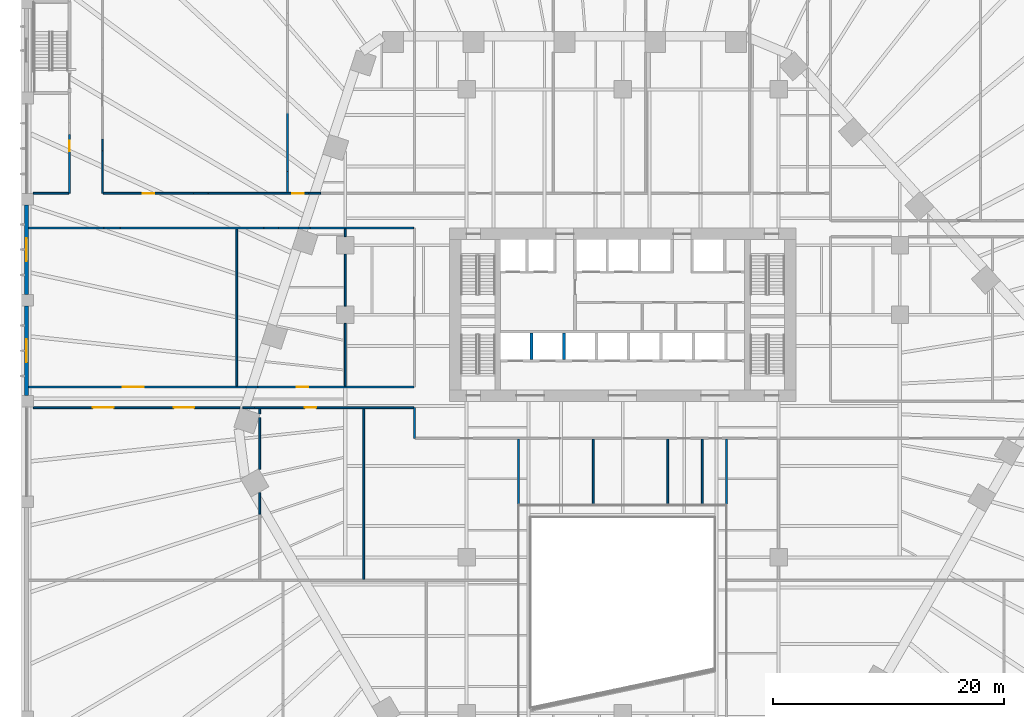
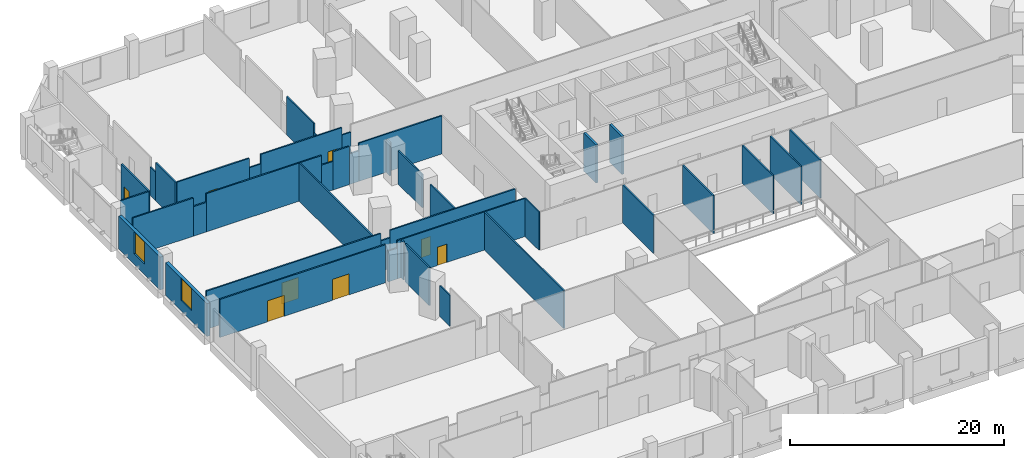
# One storey, part 16 of 33: 41 walls, 8 doors, 2 windows, 10 openings.
"""IFC4 building model written with IfcOpenShell, lengths in metres."""

from ifc_helpers import new_model, si_unit, direction, frame, frame_2d, origin, place, context, subcontext, project, spatial, rectangle, extrude, material, layer, layer_set, type_object, element, fill, save


model = new_model("IFC4")

# Units and contexts
model_context = context("Model", 3, precision=1e-05, world=origin(), true_north=direction((0.0, 1.0)))
body_context = subcontext(model_context, "Body", "Model", "MODEL_VIEW")
ifc_project = project(units=[si_unit("LENGTHUNIT", "METRE"), si_unit("AREAUNIT", "SQUARE_METRE"), si_unit("VOLUMEUNIT", "CUBIC_METRE"), si_unit("PLANEANGLEUNIT", "RADIAN"), si_unit("MASSUNIT", "GRAM", prefix="KILO")], contexts=[model_context])

# Site, building, storey
site_placement = place(None, origin())
site = spatial("IfcSite", under=ifc_project, at=site_placement, CompositionType="ELEMENT")
building_placement = place(site_placement, origin())
building = spatial("IfcBuilding", under=site, at=building_placement, Name="Isthmus Gate Tower", CompositionType="ELEMENT")
storey_placement = place(building_placement, frame((0.0, 0.0, 31.5)))
storey = spatial("IfcBuildingStorey", under=building, at=storey_placement, Name="L05", CompositionType="ELEMENT", Elevation=31.5)

# Wall, opening, door
ifc_material_1 = material(Name="Fire-rated gypsum board on steel studs", Category="steel")
ifc_layer_1 = layer(ifc_material_1, 0.14990234375)
ifc_layer_set_1 = layer_set([ifc_layer_1], Name="Fire-rated partition 150 EI 60")
wall_type_1 = type_object("IfcWallType", Name="Fire-rated partition 150 EI 60", PredefinedType="PARTITIONING", material=ifc_layer_set_1)
wall_1_placement = place(storey_placement, frame((-47.875, 18.0, 0.0), z_axis=(0.0, 0.0, 1.0), x_axis=(0.0, 1.0, 0.0)))
wall_1 = element("IfcWall", 1, at=wall_1_placement, inside=storey, type_object=wall_type_1, Name="Fire-rated partition", PredefinedType="PARTITIONING", context=body_context, shape_type="SweptSolid", body=[
    extrude(rectangle(XDim=5.109375, YDim=0.14990234375, at=frame_2d((2.5546875, 0.0))), origin(), (0.0, 0.0, 1.0), 4.35009765625),
])
opening_1_placement = place(wall_1_placement, frame((3.64990234375, 0.0, 0.0)))
opening_1 = element("IfcOpeningElement", 2, at=opening_1_placement, cuts=wall_1, Name="Opening DP05-02", PredefinedType="OPENING", context=body_context, shape_type="SweptSolid", body=[
    extrude(rectangle(XDim=0.89990234375, YDim=2.10009765625, at=frame_2d((0.449951171875, 1.050048828125))), frame((0.0, 0.0849609375, 0.0), z_axis=(0.0, -1.0, 0.0), x_axis=(1.0, 0.0, 0.0)), (0.0, 0.0, 1.0), 0.169921875),
])
ifc_material_2 = material(Name="Steel fire door with intumescent seals", Category="steel")
door_type_1 = type_object("IfcDoorType", Name="Fire door 900 x 2100", OperationType="SINGLE_SWING_LEFT", PredefinedType="DOOR", material=ifc_material_2)
door_1_placement = place(opening_1_placement, origin())
door_1 = element("IfcDoor", 3, at=door_1_placement, inside=storey, type_object=door_type_1, Name="Door DP05-02", OperationType="SINGLE_SWING_LEFT", OverallHeight=2.10009765625, OverallWidth=0.89990234375, PredefinedType="DOOR", context=body_context, shape_type="SweptSolid", body=[
    extrude(rectangle(XDim=0.89990234375, YDim=2.10009765625, at=frame_2d((0.449951171875, 1.050048828125))), frame((0.0, 0.02490234375, 0.0), z_axis=(0.0, -1.0, 0.0), x_axis=(1.0, 0.0, 0.0)), (0.0, 0.0, 1.0), 0.050048828125),
])
fill(opening_1, door_1)

# Walls
wall_2_placement = place(storey_placement, frame((-45.0, 18.0, 0.0), z_axis=(0.0, 0.0, 1.0), x_axis=(0.0, 1.0, 0.0)))
element("IfcWall", 4, at=wall_2_placement, inside=storey, type_object=wall_type_1, Name="Fire-rated partition", PredefinedType="PARTITIONING", context=body_context, shape_type="SweptSolid", body=[
    extrude(rectangle(XDim=3.69140625, YDim=0.14990234375, at=frame_2d((1.845703125, 0.0))), origin(), (0.0, 0.0, 1.0), 4.35009765625),
])
wall_3_placement = place(storey_placement, frame((-45.0, 21.69140625, 0.0), z_axis=(0.0, 0.0, 1.0), x_axis=(0.0, 1.0, 0.0)))
element("IfcWall", 5, at=wall_3_placement, inside=storey, type_object=wall_type_1, Name="Fire-rated partition", PredefinedType="PARTITIONING", context=body_context, shape_type="SweptSolid", body=[
    extrude(rectangle(XDim=1.0, YDim=0.14990234375, at=frame_2d((0.5, 0.0))), origin(), (0.0, 0.0, 1.0), 3.260986328125),
])

# Wall, opening, window
ifc_material_3 = material(Name="Precast concrete C40/50, limestone-faced", Category="masonry")
ifc_layer_2 = layer(ifc_material_3, 0.35009765625)
ifc_layer_set_2 = layer_set([ifc_layer_2], Name="PODIUM CLADDING WALL 350")
wall_type_2 = type_object("IfcWallType", Name="PODIUM CLADDING WALL 350", PredefinedType="SOLIDWALL", material=ifc_layer_set_2)
wall_4_placement = place(storey_placement, frame((-51.574951171875, 17.0, -0.300048828125), z_axis=(0.0, 0.0, 1.0), x_axis=(0.0, -1.0, 0.0)))
wall_4 = element("IfcWall", 6, at=wall_4_placement, inside=storey, type_object=wall_type_2, Name="PODIUM WALL", PredefinedType="SOLIDWALL", context=body_context, shape_type="SweptSolid", body=[
    extrude(rectangle(XDim=7.75, YDim=0.35009765625, at=frame_2d((3.875, 0.0))), origin(), (0.0, 0.0, 1.0), 3.75),
])
opening_2_placement = place(wall_4_placement, frame((2.875, 0.0, 1.199951171875)))
opening_2 = element("IfcOpeningElement", 7, at=opening_2_placement, cuts=wall_4, Name="Opening W117", PredefinedType="OPENING", context=body_context, shape_type="SweptSolid", body=[
    extrude(rectangle(XDim=2.0, YDim=2.5, at=frame_2d((1.0, 1.25))), frame((0.0, 0.18505859375, 0.0), z_axis=(0.0, -1.0, 0.0), x_axis=(1.0, 0.0, 0.0)), (0.0, 0.0, 1.0), 0.3701171875),
])
ifc_material_4 = material(Name="Aluminium, pale champagne anodised, laminated glass", Category="aluminium")
window_type = type_object("IfcWindowType", Name="PODIUM SLOT WINDOW 2000 X 2500", PartitioningType="SINGLE_PANEL", PredefinedType="WINDOW", material=ifc_material_4)
window_1_placement = place(opening_2_placement, origin())
window_1 = element("IfcWindow", 8, at=window_1_placement, inside=storey, type_object=window_type, Name="SLOT WINDOW", OverallHeight=2.5, OverallWidth=2.0, PartitioningType="SINGLE_PANEL", PredefinedType="WINDOW", context=body_context, shape_type="SweptSolid", body=[
    extrude(rectangle(XDim=2.0, YDim=2.5, at=frame_2d((1.0, 1.25))), frame((0.0, 0.030029296875, 0.0), z_axis=(0.0, -1.0, 0.0), x_axis=(1.0, 0.0, 0.0)), (0.0, 0.0, 1.0), 0.06005859375),
])
fill(opening_2, window_1)

wall_5_placement = place(storey_placement, frame((-51.574951171875, 8.25, -0.300048828125), z_axis=(0.0, 0.0, 1.0), x_axis=(0.0, -1.0, 0.0)))
wall_5 = element("IfcWall", 9, at=wall_5_placement, inside=storey, type_object=wall_type_2, Name="PODIUM WALL", PredefinedType="SOLIDWALL", context=body_context, shape_type="SweptSolid", body=[
    extrude(rectangle(XDim=7.75, YDim=0.35009765625, at=frame_2d((3.875, 0.0))), origin(), (0.0, 0.0, 1.0), 3.75),
])
opening_3_placement = place(wall_5_placement, frame((2.875, 0.0, 1.199951171875)))
opening_3 = element("IfcOpeningElement", 10, at=opening_3_placement, cuts=wall_5, Name="Opening W118", PredefinedType="OPENING", context=body_context, shape_type="SweptSolid", body=[
    extrude(rectangle(XDim=2.0, YDim=2.5, at=frame_2d((1.0, 1.25))), frame((0.0, 0.18505859375, 0.0), z_axis=(0.0, -1.0, 0.0), x_axis=(1.0, 0.0, 0.0)), (0.0, 0.0, 1.0), 0.3701171875),
])
window_2_placement = place(opening_3_placement, origin())
window_2 = element("IfcWindow", 11, at=window_2_placement, inside=storey, type_object=window_type, Name="SLOT WINDOW", OverallHeight=2.5, OverallWidth=2.0, PartitioningType="SINGLE_PANEL", PredefinedType="WINDOW", context=body_context, shape_type="SweptSolid", body=[
    extrude(rectangle(XDim=2.0, YDim=2.5, at=frame_2d((1.0, 1.25))), frame((0.0, 0.030029296875, 0.0), z_axis=(0.0, -1.0, 0.0), x_axis=(1.0, 0.0, 0.0)), (0.0, 0.0, 1.0), 0.06005859375),
])
fill(opening_3, window_2)

# Wall, openings, doors
ifc_material_5 = material(Name="Gypsum board on cold-formed steel studs", Category="steel")
ifc_layer_3 = layer(ifc_material_5, 0.14990234375)
ifc_layer_set_3 = layer_set([ifc_layer_3])
wall_type_3 = type_object("IfcWallType", Name="Partition 150 gypsum board on steel studs", PredefinedType="PARTITIONING", material=ifc_layer_set_3)
wall_6_placement = place(storey_placement, frame((-51.0, -0.549072265625, 0.0), z_axis=(0.0, 0.0, 1.0), x_axis=(1.0, 0.0, 0.0)))
wall_6 = element("IfcWall", 12, at=wall_6_placement, inside=storey, type_object=wall_type_3, Name="Partition", PredefinedType="PARTITIONING", context=body_context, shape_type="SweptSolid", body=[
    extrude(rectangle(XDim=17.8857421875, YDim=0.14990234375, at=frame_2d((8.94287109375, 0.0))), origin(), (0.0, 0.0, 1.0), 4.35009765625),
])
opening_4_placement = place(wall_6_placement, frame((5.14990234375, 0.0, 0.0)))
opening_4 = element("IfcOpeningElement", 13, at=opening_4_placement, cuts=wall_6, Name="Opening DP05-09", PredefinedType="OPENING", context=body_context, shape_type="SweptSolid", body=[
    extrude(rectangle(XDim=1.800048828125, YDim=2.39990234375, at=frame_2d((0.89990234375, 1.199951171875))), frame((0.0, 0.0849609375, 0.0), z_axis=(0.0, -1.0, 0.0), x_axis=(1.0, 0.0, 0.0)), (0.0, 0.0, 1.0), 0.169921875),
])
opening_5_placement = place(wall_6_placement, frame((12.14990234375, 0.0, 0.0)))
opening_5 = element("IfcOpeningElement", 14, at=opening_5_placement, cuts=wall_6, Name="Opening DP05-10", PredefinedType="OPENING", context=body_context, shape_type="SweptSolid", body=[
    extrude(rectangle(XDim=1.800048828125, YDim=2.39990234375, at=frame_2d((0.89990234375, 1.199951171875))), frame((0.0, 0.0849609375, 0.0), z_axis=(0.0, -1.0, 0.0), x_axis=(1.0, 0.0, 0.0)), (0.0, 0.0, 1.0), 0.169921875),
])
ifc_material_6 = material(Name="Hollow metal frame with solid-core timber leaves", Category="wood")
door_type_2 = type_object("IfcDoorType", Name="Double swing door 1800 x 2400", OperationType="DOUBLE_DOOR_SINGLE_SWING", PredefinedType="DOOR", material=ifc_material_6)
door_2_placement = place(opening_4_placement, origin())
door_2 = element("IfcDoor", 15, at=door_2_placement, inside=storey, type_object=door_type_2, Name="Door DP05-09", OperationType="SINGLE_SWING_LEFT", OverallHeight=2.39990234375, OverallWidth=1.800048828125, PredefinedType="DOOR", context=body_context, shape_type="SweptSolid", body=[
    extrude(rectangle(XDim=1.800048828125, YDim=2.39990234375, at=frame_2d((0.89990234375, 1.199951171875))), frame((0.0, 0.02490234375, 0.0), z_axis=(0.0, -1.0, 0.0), x_axis=(1.0, 0.0, 0.0)), (0.0, 0.0, 1.0), 0.050048828125),
])
fill(opening_4, door_2)
door_3_placement = place(opening_5_placement, origin())
door_3 = element("IfcDoor", 16, at=door_3_placement, inside=storey, type_object=door_type_2, Name="Door DP05-10", OperationType="SINGLE_SWING_LEFT", OverallHeight=2.39990234375, OverallWidth=1.800048828125, PredefinedType="DOOR", context=body_context, shape_type="SweptSolid", body=[
    extrude(rectangle(XDim=1.800048828125, YDim=2.39990234375, at=frame_2d((0.89990234375, 1.199951171875))), frame((0.0, 0.02490234375, 0.0), z_axis=(0.0, -1.0, 0.0), x_axis=(1.0, 0.0, 0.0)), (0.0, 0.0, 1.0), 0.050048828125),
])
fill(opening_5, door_3)

# Wall
wall_7_placement = place(storey_placement, frame((-32.85888671875, -0.549072265625, 0.0), z_axis=(0.0, 0.0, 1.0), x_axis=(1.0, 0.0, 0.0)))
element("IfcWall", 17, at=wall_7_placement, inside=storey, type_object=wall_type_3, Name="Partition", PredefinedType="PARTITIONING", context=body_context, shape_type="SweptSolid", body=[
    extrude(rectangle(XDim=1.0, YDim=0.14990234375, at=frame_2d((0.5, 0.0))), origin(), (0.0, 0.0, 1.0), 3.5),
])

# Wall, opening, door
wall_8_placement = place(storey_placement, frame((-31.85888671875, -0.549072265625, 0.0), z_axis=(0.0, 0.0, 1.0), x_axis=(1.0, 0.0, 0.0)))
wall_8 = element("IfcWall", 18, at=wall_8_placement, inside=storey, type_object=wall_type_3, Name="Partition", PredefinedType="PARTITIONING", context=body_context, shape_type="SweptSolid", body=[
    extrude(rectangle(XDim=13.783935546875, YDim=0.14990234375, at=frame_2d((6.89208984375, 0.0))), origin(), (0.0, 0.0, 1.0), 4.35009765625),
])
opening_6_placement = place(wall_8_placement, frame((4.35888671875, 0.0, 0.0)))
opening_6 = element("IfcOpeningElement", 19, at=opening_6_placement, cuts=wall_8, Name="Opening DP05-11", PredefinedType="OPENING", context=body_context, shape_type="SweptSolid", body=[
    extrude(rectangle(XDim=1.0, YDim=2.10009765625, at=frame_2d((0.5, 1.050048828125))), frame((0.0, 0.0849609375, 0.0), z_axis=(0.0, -1.0, 0.0), x_axis=(1.0, 0.0, 0.0)), (0.0, 0.0, 1.0), 0.169921875),
])
ifc_material_7 = material(Name="Hollow metal frame with solid-core timber leaf", Category="wood")
door_type_3 = type_object("IfcDoorType", Name="Single swing door 1000 x 2100", OperationType="SINGLE_SWING_LEFT", PredefinedType="DOOR", material=ifc_material_7)
door_4_placement = place(opening_6_placement, origin())
door_4 = element("IfcDoor", 20, at=door_4_placement, inside=storey, type_object=door_type_3, Name="Door DP05-11", OperationType="SINGLE_SWING_LEFT", OverallHeight=2.10009765625, OverallWidth=1.0, PredefinedType="DOOR", context=body_context, shape_type="SweptSolid", body=[
    extrude(rectangle(XDim=1.0, YDim=2.10009765625, at=frame_2d((0.5, 1.050048828125))), frame((0.0, 0.02490234375, 0.0), z_axis=(0.0, -1.0, 0.0), x_axis=(1.0, 0.0, 0.0)), (0.0, 0.0, 1.0), 0.050048828125),
])
fill(opening_6, door_4)

wall_9_placement = place(storey_placement, frame((-51.39990234375, 1.2509765625, 0.0), z_axis=(0.0, 0.0, 1.0), x_axis=(1.0, 0.0, 0.0)))
wall_9 = element("IfcWall", 21, at=wall_9_placement, inside=storey, type_object=wall_type_3, Name="Partition", PredefinedType="PARTITIONING", context=body_context, shape_type="SweptSolid", body=[
    extrude(rectangle(XDim=18.8154296875, YDim=0.14990234375, at=frame_2d((9.40771484375, 0.0))), origin(), (0.0, 0.0, 1.0), 4.35009765625),
])
opening_7_placement = place(wall_9_placement, frame((8.14990234375, 0.0, 0.0)))
opening_7 = element("IfcOpeningElement", 22, at=opening_7_placement, cuts=wall_9, Name="Opening DP05-37", PredefinedType="OPENING", context=body_context, shape_type="SweptSolid", body=[
    extrude(rectangle(XDim=1.800048828125, YDim=2.39990234375, at=frame_2d((0.89990234375, 1.199951171875))), frame((0.0, 0.0849609375, 0.0), z_axis=(0.0, -1.0, 0.0), x_axis=(1.0, 0.0, 0.0)), (0.0, 0.0, 1.0), 0.169921875),
])
door_5_placement = place(opening_7_placement, origin())
door_5 = element("IfcDoor", 23, at=door_5_placement, inside=storey, type_object=door_type_2, Name="Door DP05-37", OperationType="SINGLE_SWING_LEFT", OverallHeight=2.39990234375, OverallWidth=1.800048828125, PredefinedType="DOOR", context=body_context, shape_type="SweptSolid", body=[
    extrude(rectangle(XDim=1.800048828125, YDim=2.39990234375, at=frame_2d((0.89990234375, 1.199951171875))), frame((0.0, 0.02490234375, 0.0), z_axis=(0.0, -1.0, 0.0), x_axis=(1.0, 0.0, 0.0)), (0.0, 0.0, 1.0), 0.050048828125),
])
fill(opening_7, door_5)

# Wall
wall_10_placement = place(storey_placement, frame((-32.58447265625, 1.2509765625, 0.0), z_axis=(0.0, 0.0, 1.0), x_axis=(1.0, 0.0, 0.0)))
element("IfcWall", 24, at=wall_10_placement, inside=storey, type_object=wall_type_3, Name="Partition", PredefinedType="PARTITIONING", context=body_context, shape_type="SweptSolid", body=[
    extrude(rectangle(XDim=1.0, YDim=0.14990234375, at=frame_2d((0.5, 0.0))), origin(), (0.0, 0.0, 1.0), 3.5),
])

# Wall, opening, door
wall_11_placement = place(storey_placement, frame((-31.58447265625, 1.2509765625, 0.0), z_axis=(0.0, 0.0, 1.0), x_axis=(1.0, 0.0, 0.0)))
wall_11 = element("IfcWall", 25, at=wall_11_placement, inside=storey, type_object=wall_type_3, Name="Partition", PredefinedType="PARTITIONING", context=body_context, shape_type="SweptSolid", body=[
    extrude(rectangle(XDim=13.509521484375, YDim=0.14990234375, at=frame_2d((6.7548828125, 0.0))), origin(), (0.0, 0.0, 1.0), 4.35009765625),
])
opening_8_placement = place(wall_11_placement, frame((3.39990234375, 0.0, 0.0)))
opening_8 = element("IfcOpeningElement", 26, at=opening_8_placement, cuts=wall_11, Name="Opening DP05-38", PredefinedType="OPENING", context=body_context, shape_type="SweptSolid", body=[
    extrude(rectangle(XDim=1.0, YDim=2.10009765625, at=frame_2d((0.5, 1.050048828125))), frame((0.0, 0.0849609375, 0.0), z_axis=(0.0, -1.0, 0.0), x_axis=(1.0, 0.0, 0.0)), (0.0, 0.0, 1.0), 0.169921875),
])
door_6_placement = place(opening_8_placement, origin())
door_6 = element("IfcDoor", 27, at=door_6_placement, inside=storey, type_object=door_type_3, Name="Door DP05-38", OperationType="SINGLE_SWING_LEFT", OverallHeight=2.10009765625, OverallWidth=1.0, PredefinedType="DOOR", context=body_context, shape_type="SweptSolid", body=[
    extrude(rectangle(XDim=1.0, YDim=2.10009765625, at=frame_2d((0.5, 1.050048828125))), frame((0.0, 0.02490234375, 0.0), z_axis=(0.0, -1.0, 0.0), x_axis=(1.0, 0.0, 0.0)), (0.0, 0.0, 1.0), 0.050048828125),
])
fill(opening_8, door_6)

# Walls
wall_12_placement = place(storey_placement, frame((-51.39990234375, 15.0, 0.0), z_axis=(0.0, 0.0, 1.0), x_axis=(1.0, 0.0, 0.0)))
element("IfcWall", 28, at=wall_12_placement, inside=storey, type_object=wall_type_3, Name="Partition", PredefinedType="PARTITIONING", context=body_context, shape_type="SweptSolid", body=[
    extrude(rectangle(XDim=6.513916015625, YDim=0.14990234375, at=frame_2d((3.2568359375, 0.0))), origin(), (0.0, 0.0, 1.0), 4.35009765625),
])
wall_13_placement = place(storey_placement, frame((-44.885986328125, 15.0, 0.0), z_axis=(0.0, 0.0, 1.0), x_axis=(1.0, 0.0, 0.0)))
element("IfcWall", 29, at=wall_13_placement, inside=storey, type_object=wall_type_3, Name="Partition", PredefinedType="PARTITIONING", context=body_context, shape_type="SweptSolid", body=[
    extrude(rectangle(XDim=1.394775390625, YDim=0.14990234375, at=frame_2d((0.697265625, 0.0))), origin(), (0.0, 0.0, 1.0), 3.368896484375),
])
wall_14_placement = place(storey_placement, frame((-43.4912109375, 15.0, 0.0), z_axis=(0.0, 0.0, 1.0), x_axis=(1.0, 0.0, 0.0)))
element("IfcWall", 30, at=wall_14_placement, inside=storey, type_object=wall_type_3, Name="Partition", PredefinedType="PARTITIONING", context=body_context, shape_type="SweptSolid", body=[
    extrude(rectangle(XDim=12.452392578125, YDim=0.14990234375, at=frame_2d((6.22607421875, 0.0))), origin(), (0.0, 0.0, 1.0), 4.35009765625),
])
wall_15_placement = place(storey_placement, frame((-31.038818359375, 15.0, 0.0), z_axis=(0.0, 0.0, 1.0), x_axis=(1.0, 0.0, 0.0)))
element("IfcWall", 31, at=wall_15_placement, inside=storey, type_object=wall_type_3, Name="Partition", PredefinedType="PARTITIONING", context=body_context, shape_type="SweptSolid", body=[
    extrude(rectangle(XDim=1.24365234375, YDim=0.14990234375, at=frame_2d((0.621826171875, 0.0))), origin(), (0.0, 0.0, 1.0), 3.260986328125),
])
wall_16_placement = place(storey_placement, frame((-29.795166015625, 15.0, 0.0), z_axis=(0.0, 0.0, 1.0), x_axis=(1.0, 0.0, 0.0)))
element("IfcWall", 32, at=wall_16_placement, inside=storey, type_object=wall_type_3, Name="Partition", PredefinedType="PARTITIONING", context=body_context, shape_type="SweptSolid", body=[
    extrude(rectangle(XDim=1.733154296875, YDim=0.14990234375, at=frame_2d((0.86669921875, 0.0))), origin(), (0.0, 0.0, 1.0), 4.35009765625),
])
wall_17_placement = place(storey_placement, frame((-28.034912109375, 15.0, 0.0), z_axis=(0.0, 0.0, 1.0), x_axis=(1.0, 0.0, 0.0)))
element("IfcWall", 33, at=wall_17_placement, inside=storey, type_object=wall_type_3, Name="Partition", PredefinedType="PARTITIONING", context=body_context, shape_type="SweptSolid", body=[
    extrude(rectangle(XDim=1.0, YDim=0.14990234375, at=frame_2d((0.5, 0.0))), origin(), (0.0, 0.0, 1.0), 3.5),
])
wall_18_placement = place(storey_placement, frame((-27.034912109375, 15.0, 0.0), z_axis=(0.0, 0.0, 1.0), x_axis=(1.0, 0.0, 0.0)))
element("IfcWall", 34, at=wall_18_placement, inside=storey, type_object=wall_type_3, Name="Partition", PredefinedType="PARTITIONING", context=body_context, shape_type="SweptSolid", body=[
    extrude(rectangle(XDim=8.9599609375, YDim=0.14990234375, at=frame_2d((4.47998046875, 0.0))), origin(), (0.0, 0.0, 1.0), 4.35009765625),
])
wall_19_placement = place(storey_placement, frame((-51.0, 18.0, 0.0), z_axis=(0.0, 0.0, 1.0), x_axis=(1.0, 0.0, 0.0)))
element("IfcWall", 35, at=wall_19_placement, inside=storey, type_object=wall_type_3, Name="Partition", PredefinedType="PARTITIONING", context=body_context, shape_type="SweptSolid", body=[
    extrude(rectangle(XDim=3.050048828125, YDim=0.14990234375, at=frame_2d((1.52490234375, 0.0))), origin(), (0.0, 0.0, 1.0), 4.35009765625),
])

# Wall, opening, door
wall_20_placement = place(storey_placement, frame((-44.925048828125, 18.0, 0.0), z_axis=(0.0, 0.0, 1.0), x_axis=(1.0, 0.0, 0.0)))
wall_20 = element("IfcWall", 36, at=wall_20_placement, inside=storey, type_object=wall_type_3, Name="Partition", PredefinedType="PARTITIONING", context=body_context, shape_type="SweptSolid", body=[
    extrude(rectangle(XDim=7.802734375, YDim=0.14990234375, at=frame_2d((3.9013671875, 0.0))), origin(), (0.0, 0.0, 1.0), 4.35009765625),
])
opening_9_placement = place(wall_20_placement, frame((3.39990234375, 0.0, 0.0)))
opening_9 = element("IfcOpeningElement", 37, at=opening_9_placement, cuts=wall_20, Name="Opening DP05-28", PredefinedType="OPENING", context=body_context, shape_type="SweptSolid", body=[
    extrude(rectangle(XDim=1.0, YDim=2.10009765625, at=frame_2d((0.5, 1.050048828125))), frame((0.0, 0.0849609375, 0.0), z_axis=(0.0, -1.0, 0.0), x_axis=(1.0, 0.0, 0.0)), (0.0, 0.0, 1.0), 0.169921875),
])
door_7_placement = place(opening_9_placement, origin())
door_7 = element("IfcDoor", 38, at=door_7_placement, inside=storey, type_object=door_type_3, Name="Door DP05-28", OperationType="SINGLE_SWING_LEFT", OverallHeight=2.10009765625, OverallWidth=1.0, PredefinedType="DOOR", context=body_context, shape_type="SweptSolid", body=[
    extrude(rectangle(XDim=1.0, YDim=2.10009765625, at=frame_2d((0.5, 1.050048828125))), frame((0.0, 0.02490234375, 0.0), z_axis=(0.0, -1.0, 0.0), x_axis=(1.0, 0.0, 0.0)), (0.0, 0.0, 1.0), 0.050048828125),
])
fill(opening_9, door_7)

# Wall
wall_21_placement = place(storey_placement, frame((-37.122314453125, 18.0, 0.0), z_axis=(0.0, 0.0, 1.0), x_axis=(1.0, 0.0, 0.0)))
element("IfcWall", 39, at=wall_21_placement, inside=storey, type_object=wall_type_3, Name="Partition", PredefinedType="PARTITIONING", context=body_context, shape_type="SweptSolid", body=[
    extrude(rectangle(XDim=1.24365234375, YDim=0.14990234375, at=frame_2d((0.621826171875, 0.0))), origin(), (0.0, 0.0, 1.0), 3.260986328125),
])

# Wall, opening, door
wall_22_placement = place(storey_placement, frame((-35.878662109375, 18.0, 0.0), z_axis=(0.0, 0.0, 1.0), x_axis=(1.0, 0.0, 0.0)))
wall_22 = element("IfcWall", 40, at=wall_22_placement, inside=storey, type_object=wall_type_3, Name="Partition", PredefinedType="PARTITIONING", context=body_context, shape_type="SweptSolid", body=[
    extrude(rectangle(XDim=8.736328125, YDim=0.14990234375, at=frame_2d((4.3681640625, 0.0))), origin(), (0.0, 0.0, 1.0), 4.35009765625),
])
opening_10_placement = place(wall_22_placement, frame((7.278564453125, 0.0, 0.0)))
opening_10 = element("IfcOpeningElement", 41, at=opening_10_placement, cuts=wall_22, Name="Opening DP05-29", PredefinedType="OPENING", context=body_context, shape_type="SweptSolid", body=[
    extrude(rectangle(XDim=1.0, YDim=2.10009765625, at=frame_2d((0.5, 1.050048828125))), frame((0.0, 0.0849609375, 0.0), z_axis=(0.0, -1.0, 0.0), x_axis=(1.0, 0.0, 0.0)), (0.0, 0.0, 1.0), 0.169921875),
])
door_8_placement = place(opening_10_placement, origin())
door_8 = element("IfcDoor", 42, at=door_8_placement, inside=storey, type_object=door_type_3, Name="Door DP05-29", OperationType="SINGLE_SWING_LEFT", OverallHeight=2.10009765625, OverallWidth=1.0, PredefinedType="DOOR", context=body_context, shape_type="SweptSolid", body=[
    extrude(rectangle(XDim=1.0, YDim=2.10009765625, at=frame_2d((0.5, 1.050048828125))), frame((0.0, 0.02490234375, 0.0), z_axis=(0.0, -1.0, 0.0), x_axis=(1.0, 0.0, 0.0)), (0.0, 0.0, 1.0), 0.050048828125),
])
fill(opening_10, door_8)

# Walls
wall_23_placement = place(storey_placement, frame((-27.142333984375, 18.0, 0.0), z_axis=(0.0, 0.0, 1.0), x_axis=(1.0, 0.0, 0.0)))
element("IfcWall", 43, at=wall_23_placement, inside=storey, type_object=wall_type_3, Name="Partition", PredefinedType="PARTITIONING", context=body_context, shape_type="SweptSolid", body=[
    extrude(rectangle(XDim=1.0, YDim=0.14990234375, at=frame_2d((0.5, 0.0))), origin(), (0.0, 0.0, 1.0), 3.5),
])
wall_24_placement = place(storey_placement, frame((-33.39990234375, 1.325927734375, 0.0), z_axis=(0.0, 0.0, 1.0), x_axis=(0.0, 1.0, 0.0)))
element("IfcWall", 44, at=wall_24_placement, inside=storey, type_object=wall_type_3, Name="Partition", PredefinedType="PARTITIONING", context=body_context, shape_type="SweptSolid", body=[
    extrude(rectangle(XDim=13.59912109375, YDim=0.14990234375, at=frame_2d((6.799560546875, 0.0))), origin(), (0.0, 0.0, 1.0), 4.35009765625),
])
wall_25_placement = place(storey_placement, frame((-31.39990234375, -9.763671875, 0.0), z_axis=(0.0, 0.0, 1.0), x_axis=(0.0, 1.0, 0.0)))
element("IfcWall", 45, at=wall_25_placement, inside=storey, type_object=wall_type_3, Name="Partition", PredefinedType="PARTITIONING", context=body_context, shape_type="SweptSolid", body=[
    extrude(rectangle(XDim=1.87060546875, YDim=0.14990234375, at=frame_2d((0.935302734375, 0.0))), origin(), (0.0, 0.0, 1.0), 3.5),
])
wall_26_placement = place(storey_placement, frame((-31.39990234375, -5.8837890625, 0.0), z_axis=(0.0, 0.0, 1.0), x_axis=(0.0, 1.0, 0.0)))
element("IfcWall", 46, at=wall_26_placement, inside=storey, type_object=wall_type_3, Name="Partition", PredefinedType="PARTITIONING", context=body_context, shape_type="SweptSolid", body=[
    extrude(rectangle(XDim=4.47998046875, YDim=0.14990234375, at=frame_2d((2.239990234375, 0.0))), origin(), (0.0, 0.0, 1.0), 4.35009765625),
])
wall_27_placement = place(storey_placement, frame((-31.39990234375, -1.07373046875, 0.0), z_axis=(0.0, 0.0, 1.0), x_axis=(0.0, 1.0, 0.0)))
element("IfcWall", 47, at=wall_27_placement, inside=storey, type_object=wall_type_3, Name="Partition", PredefinedType="PARTITIONING", context=body_context, shape_type="SweptSolid", body=[
    extrude(rectangle(XDim=0.44970703125, YDim=0.14990234375, at=frame_2d((0.224853515625, 0.0))), origin(), (0.0, 0.0, 1.0), 4.35009765625),
])
wall_28_placement = place(storey_placement, frame((-29.0, 18.074951171875, 0.0), z_axis=(0.0, 0.0, 1.0), x_axis=(0.0, 1.0, 0.0)))
element("IfcWall", 48, at=wall_28_placement, inside=storey, type_object=wall_type_3, Name="Partition", PredefinedType="PARTITIONING", context=body_context, shape_type="SweptSolid", body=[
    extrude(rectangle(XDim=1.80224609375, YDim=0.14990234375, at=frame_2d((0.901123046875, 0.0))), origin(), (0.0, 0.0, 1.0), 3.260986328125),
])
wall_29_placement = place(storey_placement, frame((-29.0, 19.877197265625, 0.0), z_axis=(0.0, 0.0, 1.0), x_axis=(0.0, 1.0, 0.0)))
element("IfcWall", 49, at=wall_29_placement, inside=storey, type_object=wall_type_3, Name="Partition", PredefinedType="PARTITIONING", context=body_context, shape_type="SweptSolid", body=[
    extrude(rectangle(XDim=5.05517578125, YDim=0.14990234375, at=frame_2d((2.527587890625, 0.0))), origin(), (0.0, 0.0, 1.0), 4.35009765625),
])
wall_30_placement = place(storey_placement, frame((-24.0, 1.325927734375, 0.0), z_axis=(0.0, 0.0, 1.0), x_axis=(0.0, 1.0, 0.0)))
element("IfcWall", 50, at=wall_30_placement, inside=storey, type_object=wall_type_3, Name="Partition", PredefinedType="PARTITIONING", context=body_context, shape_type="SweptSolid", body=[
    extrude(rectangle(XDim=5.424072265625, YDim=0.14990234375, at=frame_2d((2.7119140625, 0.0))), origin(), (0.0, 0.0, 1.0), 3.59130859375),
])
wall_31_placement = place(storey_placement, frame((-24.0, 8.25, 0.0), z_axis=(0.0, 0.0, 1.0), x_axis=(0.0, 1.0, 0.0)))
element("IfcWall", 51, at=wall_31_placement, inside=storey, type_object=wall_type_3, Name="Partition", PredefinedType="PARTITIONING", context=body_context, shape_type="SweptSolid", body=[
    extrude(rectangle(XDim=4.5, YDim=0.14990234375, at=frame_2d((2.25, 0.0))), origin(), (0.0, 0.0, 1.0), 3.816650390625),
])
wall_32_placement = place(storey_placement, frame((-24.0, 14.25, 0.0), z_axis=(0.0, 0.0, 1.0), x_axis=(0.0, 1.0, 0.0)))
element("IfcWall", 52, at=wall_32_placement, inside=storey, type_object=wall_type_3, Name="Partition", PredefinedType="PARTITIONING", context=body_context, shape_type="SweptSolid", body=[
    extrude(rectangle(XDim=0.675048828125, YDim=0.14990234375, at=frame_2d((0.33740234375, 0.0))), origin(), (0.0, 0.0, 1.0), 3.746826171875),
])
wall_33_placement = place(storey_placement, frame((-22.39990234375, -15.4140625, 0.0), z_axis=(0.0, 0.0, 1.0), x_axis=(0.0, 1.0, 0.0)))
element("IfcWall", 53, at=wall_33_placement, inside=storey, type_object=wall_type_3, Name="Partition", PredefinedType="PARTITIONING", context=body_context, shape_type="SweptSolid", body=[
    extrude(rectangle(XDim=14.7900390625, YDim=0.14990234375, at=frame_2d((7.39501953125, 0.0))), origin(), (0.0, 0.0, 1.0), 4.35009765625),
])
wall_34_placement = place(storey_placement, frame((-18.0, -3.199951171875, 0.0), z_axis=(0.0, 0.0, 1.0), x_axis=(0.0, 1.0, 0.0)))
element("IfcWall", 54, at=wall_34_placement, inside=storey, type_object=wall_type_3, Name="Partition", PredefinedType="PARTITIONING", context=body_context, shape_type="SweptSolid", body=[
    extrude(rectangle(XDim=2.651123046875, YDim=0.14990234375, at=frame_2d((1.32568359375, 0.0))), origin(), (0.0, 0.0, 1.0), 4.35009765625),
])
for number, where, z_axis, x_axis, name in (
    (55, (-9.0, -9.0, 0.0), (0.0, 0.0, 1.0), (0.0, 1.0, 0.0), "Partition"),
    (56, (-2.550048828125, -9.0, 0.0), (0.0, 0.0, 1.0), (0.0, 1.0, 0.0), "Partition"),
    (57, (3.89990234375, -9.0, 0.0), (0.0, 0.0, 1.0), (0.0, 1.0, 0.0), "Partition"),
    (58, (6.89990234375, -9.0, 0.0), (0.0, 0.0, 1.0), (0.0, 1.0, 0.0), "Partition"),
    (59, (9.0, -9.0, 0.0), (0.0, 0.0, 1.0), (0.0, 1.0, 0.0), "Partition"),
):
    element("IfcWall", number, at=place(storey_placement, frame(where, z_axis=z_axis, x_axis=x_axis)), inside=storey, type_object=wall_type_3, Name=name, PredefinedType="PARTITIONING", context=body_context, shape_type="SweptSolid", body=[
        extrude(rectangle(XDim=5.72509765625, YDim=0.14990234375, at=frame_2d((2.862548828125, 0.0))), origin(), (0.0, 0.0, 1.0), 4.35009765625),
    ])
ifc_material_8 = material(Name="Fire-rated blockwork masonry, 15 MPa", Category="masonry")
ifc_layer_4 = layer(ifc_material_8, 0.25)
ifc_layer_set_4 = layer_set([ifc_layer_4], Name="SHAFT WALL 250 120 MIN")
wall_type_4 = type_object("IfcWallType", Name="SHAFT WALL 250 120 MIN", PredefinedType="PARTITIONING", material=ifc_layer_set_4)
for number, where, z_axis, x_axis, name in (
    (60, (-7.875, 3.60009765625, 0.0), (0.0, 0.0, 1.0), (0.0, 1.0, 0.0), "L05 SHAFT WALL 250 120 MIN"),
    (61, (-5.074951171875, 3.60009765625, 0.0), (0.0, 0.0, 1.0), (0.0, 1.0, 0.0), "L05 SHAFT WALL 250 120 MIN"),
):
    element("IfcWall", number, at=place(storey_placement, frame(where, z_axis=z_axis, x_axis=x_axis)), inside=storey, type_object=wall_type_4, Name=name, PredefinedType="PARTITIONING", context=body_context, shape_type="SweptSolid", body=[
        extrude(rectangle(XDim=2.2998046875, YDim=0.25, at=frame_2d((1.14990234375, 0.0))), origin(), (0.0, 0.0, 1.0), 4.35009765625),
    ])

save(model, "model.ifc")
